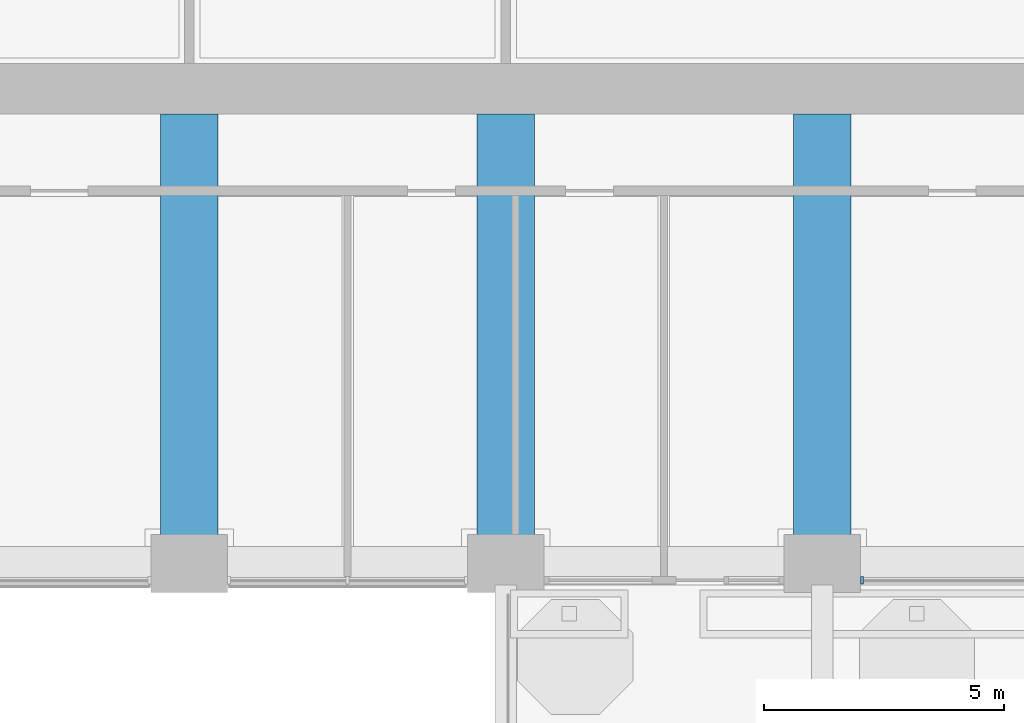
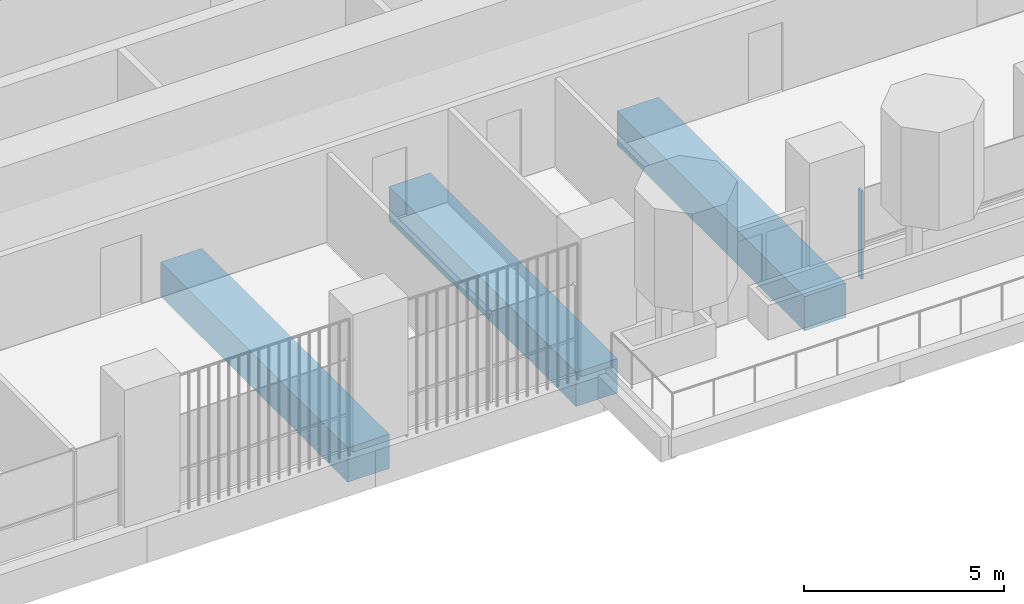
# One storey, part 3 of 19: 3 beams, 1 member, 1 element without a shape of its own.
"""IFC4 building model written with IfcOpenShell, lengths in metres."""

from ifc_helpers import new_model, si_unit, direction, frame, origin, origin_2d, place, context, subcontext, project, spatial, rectangle, extrude, material, material_profile, profile_set, type_object, element, aggregate, save


model = new_model("IFC4")

# Units and contexts
model_context = context("Model", 3, precision=1e-05, world=origin(), true_north=direction((0.0, 1.0)))
body_context = subcontext(model_context, "Body", "Model", "MODEL_VIEW")
ifc_project = project(units=[si_unit("LENGTHUNIT", "METRE"), si_unit("AREAUNIT", "SQUARE_METRE"), si_unit("VOLUMEUNIT", "CUBIC_METRE"), si_unit("PLANEANGLEUNIT", "RADIAN"), si_unit("MASSUNIT", "GRAM", prefix="KILO")], contexts=[model_context])

# Site, building, storey
site_placement = place(None, origin())
site = spatial("IfcSite", under=ifc_project, at=site_placement, CompositionType="ELEMENT")
building_placement = place(site_placement, origin())
building = spatial("IfcBuilding", under=site, at=building_placement, Name="Cobogo Forest Laboratory Tower", CompositionType="ELEMENT")
storey_placement = place(building_placement, frame((0.0, 0.0, 197.699951171875)))
storey = spatial("IfcBuildingStorey", under=building, at=storey_placement, Name="L45", CompositionType="ELEMENT", Elevation=197.699951171875)

# Beams
ifc_material_1 = material(Name="Concrete HA-40 (C40/50)", Category="concrete")
ifc_material_profile_1 = material_profile(ifc_material_1, rectangle(XDim=1.199951171875, YDim=1.050048828125, at=origin_2d()), Name="RC 1200x1050")
ifc_profile_set_1 = profile_set([ifc_material_profile_1], Name="Concrete HA-40 (C40/50)")
beam_type = type_object("IfcBeamType", Name="Laboratory floor wide beam 1200x1050", PredefinedType="BEAM", material=ifc_profile_set_1)
for number, where, z_axis, x_axis, name in (
    (1, (19.800048828125, 12.675048828125, -0.824951171875), (0.0, -1.0, 0.0), (1.0, 0.0, 0.0), "RB1 R-4-S L45"),
    (2, (26.39990234375, 12.675048828125, -0.824951171875), (0.0, -1.0, 0.0), (1.0, 0.0, 0.0), "RB1 R-5-S L45"),
    (3, (33.0, 12.675048828125, -0.824951171875), (0.0, -1.0, 0.0), (1.0, 0.0, 0.0), "RB1 R-6-S L45"),
):
    element("IfcBeam", number, at=place(storey_placement, frame(where, z_axis=z_axis, x_axis=x_axis)), inside=storey, type_object=beam_type, Name=name, PredefinedType="BEAM", context=body_context, shape_type="SweptSolid", body=[
        extrude(rectangle(XDim=1.199951171875, YDim=1.050048828125, at=origin_2d()), origin(), (0.0, 0.0, 1.0), 9.375),
    ])

# Curtain wall, member
ifc_material_2 = material(Name="Aluminium curtain wall", Category="aluminium")
curtain_wall_type = type_object("IfcCurtainWallType", Name="CW-2 unitised curtain wall, solar control glazing, laboratory floors zones C and D", PredefinedType="USERDEFINED", material=ifc_material_2)
curtain_wall_placement = place(storey_placement, origin())
curtain_wall = element("IfcCurtainWall", 4, at=curtain_wall_placement, inside=storey, type_object=curtain_wall_type, Name="Curtain wall 05 L45", ObjectType="UNITISED CURTAIN WALL", PredefinedType="USERDEFINED")
ifc_material_3 = material(Name="Aluminium mullion", Category="aluminium")
ifc_material_profile_2 = material_profile(ifc_material_3, rectangle(XDim=0.06005859375, YDim=0.159912109375, at=origin_2d()), Name="AL 60x160")
ifc_profile_set_2 = profile_set([ifc_material_profile_2], Name="Aluminium mullion")
member_type = type_object("IfcMemberType", Name="MU-1 aluminium mullion 60x160", PredefinedType="MULLION", material=ifc_profile_set_2)
member_placement = place(storey_placement, frame((33.830078125, 2.949951171875, 0.0), z_axis=(0.0, 0.0, 1.0), x_axis=(1.0, 0.0, 0.0)))
member = element("IfcMember", 5, at=member_placement, type_object=member_type, Name="CW-2 mullion 1", PredefinedType="MULLION", context=body_context, shape_type="SweptSolid", body=[
    extrude(rectangle(XDim=0.06005859375, YDim=0.159912109375, at=origin_2d()), origin(), (0.0, 0.0, 1.0), 2.699951171875),
])
aggregate(curtain_wall, [member])

save(model, "model.ifc")
